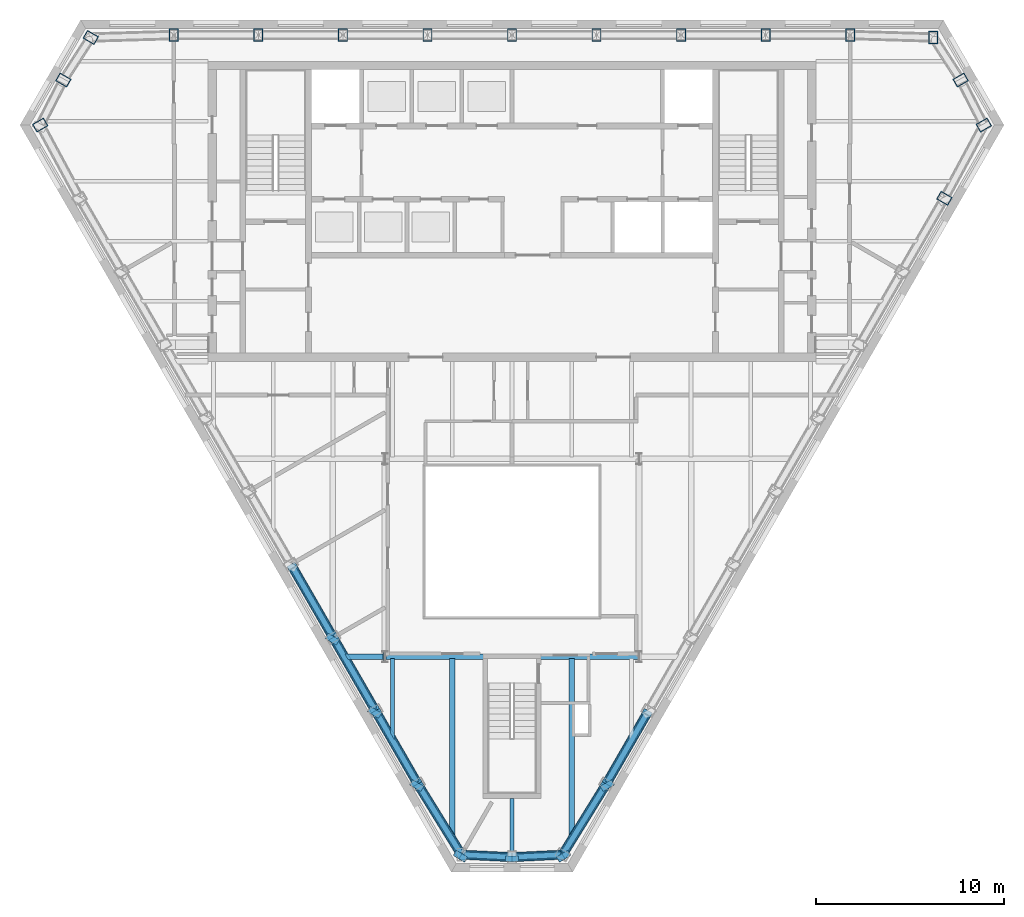
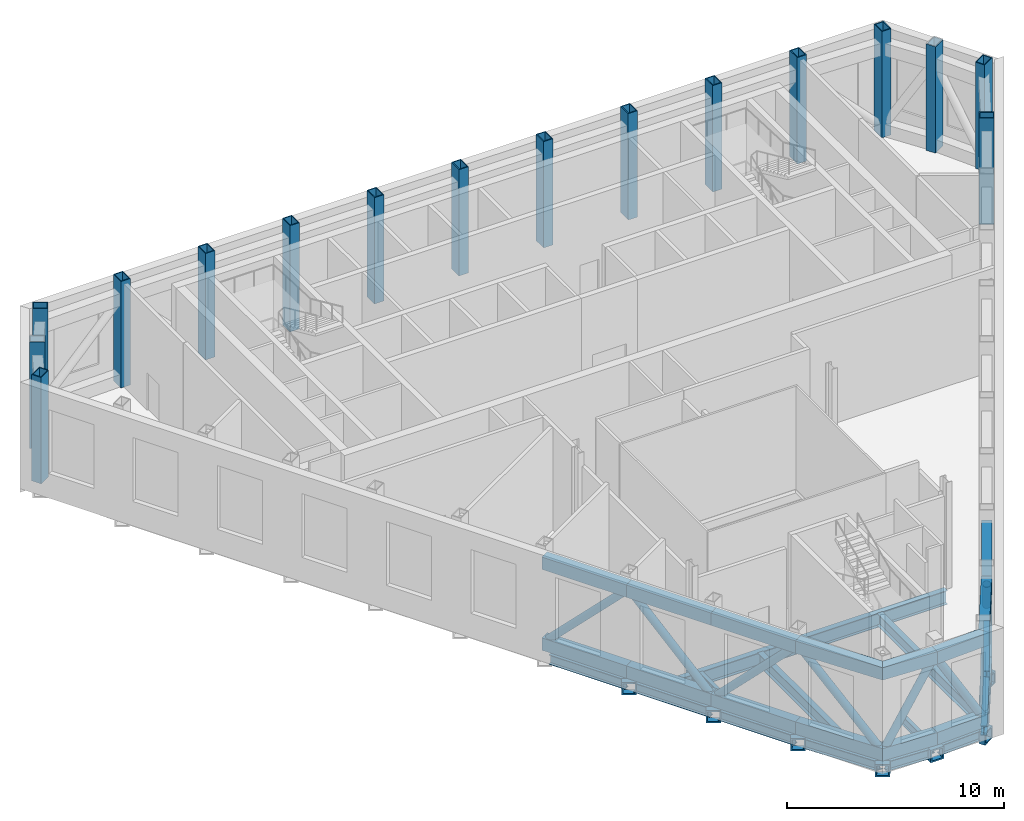
# One storey, part 2 of 14: 24 members, 22 beams, 16 columns.
"""IFC4 building model written with IfcOpenShell, lengths in metres."""

from ifc_helpers import new_model, si_unit, direction, frame, origin, origin_2d, place, context, subcontext, project, spatial, hollow_rectangle, hollow_circle, i_section, extrude, clip, halfspace, material, material_profile, profile_set, type_object, element, save


model = new_model("IFC4")

# Units and contexts
model_context = context("Model", 3, precision=1e-05, world=origin(), true_north=direction((0.0, 1.0)))
body_context = subcontext(model_context, "Body", "Model", "MODEL_VIEW")
ifc_project = project(units=[si_unit("LENGTHUNIT", "METRE"), si_unit("AREAUNIT", "SQUARE_METRE"), si_unit("VOLUMEUNIT", "CUBIC_METRE"), si_unit("PLANEANGLEUNIT", "RADIAN"), si_unit("MASSUNIT", "GRAM", prefix="KILO")], contexts=[model_context])

# Site, building, storey
site_placement = place(None, origin())
site = spatial("IfcSite", under=ifc_project, at=site_placement, CompositionType="ELEMENT")
building_placement = place(site_placement, origin())
building = spatial("IfcBuilding", under=site, at=building_placement, Name="Njiva Tower", CompositionType="ELEMENT")
storey_placement = place(building_placement, frame((0.0, 0.0, 239.4)))
storey = spatial("IfcBuildingStorey", under=building, at=storey_placement, Name="L54", CompositionType="ELEMENT", Elevation=239.4)

# Columns
ifc_material_1 = material(Name="Steel S355 J2", Category="steel")
ifc_material_profile_1 = material_profile(ifc_material_1, hollow_rectangle(XDim=0.5, YDim=0.7, WallThickness=0.045, at=origin_2d()), Name="BOX 700x500x45")
ifc_profile_set_1 = profile_set([ifc_material_profile_1], Name="Steel S355 J2")
column_type = type_object("IfcColumnType", Name="C13 Perimeter tube column BOX 700x500x45", PredefinedType="COLUMN", material=ifc_profile_set_1)
for number, where, z_axis, x_axis, name in (
    (1, (22.461, 19.267, 0.0), (0.0, 0.0, 1.0), (-1.0, 0.0, 0.0), "Perimeter tube column T4-C01"),
    (2, (18.03, 19.4, 0.0), (0.0, 0.0, 1.0), (-1.0, 0.0, 0.0), "Perimeter tube column T4-C02"),
    (3, (13.523, 19.4, 0.0), (0.0, 0.0, 1.0), (-1.0, 0.0, 0.0), "Perimeter tube column T4-C03"),
    (4, (9.015, 19.4, 0.0), (0.0, 0.0, 1.0), (-1.0, 0.0, 0.0), "Perimeter tube column T4-C04"),
    (5, (4.508, 19.4, 0.0), (0.0, 0.0, 1.0), (-1.0, 0.0, 0.0), "Perimeter tube column T4-C05"),
    (6, (0.0, 19.4, 0.0), (0.0, 0.0, 1.0), (-1.0, 0.0, 0.0), "Perimeter tube column T4-C06"),
    (7, (-4.508, 19.4, 0.0), (0.0, 0.0, 1.0), (-1.0, 0.0, 0.0), "Perimeter tube column T4-C07"),
    (8, (-9.015, 19.4, 0.0), (0.0, 0.0, 1.0), (-1.0, 0.0, 0.0), "Perimeter tube column T4-C08"),
    (9, (-13.523, 19.4, 0.0), (0.0, 0.0, 1.0), (-1.0, 0.0, 0.0), "Perimeter tube column T4-C09"),
    (10, (-18.03, 19.4, 0.0), (0.0, 0.0, 1.0), (-1.0, 0.0, 0.0), "Perimeter tube column T4-C10"),
    (11, (-22.461, 19.267, 0.0), (0.0, 0.0, 1.0), (-0.5, -0.866025403784, 0.0), "Perimeter tube column T4-C11"),
    (12, (-23.925, 16.998, 0.0), (0.0, 0.0, 1.0), (-0.5, -0.866025403784, 0.0), "Perimeter tube column T4-C12"),
    (13, (-25.158, 14.597, 0.0), (0.0, 0.0, 1.0), (0.5, -0.866025403784, 0.0), "Perimeter tube column T4-C13"),
    (14, (23.057, 10.693, 0.0), (0.0, 0.0, 1.0), (0.5, 0.866025403784, 0.0), "Perimeter tube column T4-C34"),
    (15, (25.158, 14.597, 0.0), (0.0, 0.0, 1.0), (-0.5, 0.866025403784, 0.0), "Perimeter tube column T4-C35"),
    (16, (23.925, 16.998, 0.0), (0.0, 0.0, 1.0), (-0.5, 0.866025403784, 0.0), "Perimeter tube column T4-C36"),
):
    element("IfcColumn", number, at=place(storey_placement, frame(where, z_axis=z_axis, x_axis=x_axis)), inside=storey, type_object=column_type, Name=name, PredefinedType="COLUMN", context=body_context, shape_type="SweptSolid", body=[
        extrude(hollow_rectangle(XDim=0.5, YDim=0.7, WallThickness=0.045, at=origin_2d()), origin(), (0.0, 0.0, 1.0), 6.0),
    ])

# Beams
ifc_material_profile_2 = material_profile(ifc_material_1, hollow_rectangle(XDim=0.7, YDim=0.7, WallThickness=0.08, at=origin_2d()), Name="BOX 700x700x80")
ifc_profile_set_2 = profile_set([ifc_material_profile_2], Name="Steel S355 J2")
beam_type_1 = type_object("IfcBeamType", Name="B19 Column jog beam BOX 700x700x80", PredefinedType="BEAM", material=ifc_profile_set_2)
beam_1_placement = place(storey_placement, frame((-9.668, -12.957, -0.55), z_axis=(0.503103193973, 0.864226345475, 0.0), x_axis=(-0.864226345475, 0.503103193973, 0.0)))
element("IfcBeam", 17, at=beam_1_placement, inside=storey, type_object=beam_type_1, Name="Column jog beam T4-B025", PredefinedType="BEAM", context=body_context, shape_type="SweptSolid", body=[
    extrude(hollow_rectangle(XDim=0.7, YDim=0.7, WallThickness=0.08, at=origin_2d()), origin(), (0.0, 0.0, 1.0), 0.324),
])
beam_2_placement = place(storey_placement, frame((-7.416, -16.86, -0.55), z_axis=(0.511321392938, 0.859389570058, 0.0), x_axis=(-0.859389570058, 0.511321392938, 0.0)))
element("IfcBeam", 18, at=beam_2_placement, inside=storey, type_object=beam_type_1, Name="Column jog beam T4-B026", PredefinedType="BEAM", context=body_context, shape_type="SweptSolid", body=[
    extrude(hollow_rectangle(XDim=0.7, YDim=0.7, WallThickness=0.08, at=origin_2d()), origin(), (0.0, 0.0, 1.0), 0.3246),
])
beam_3_placement = place(storey_placement, frame((-5.162, -20.763, -0.55), z_axis=(0.512677882512, 0.858581032159, 0.0), x_axis=(-0.858581032159, 0.512677882512, 0.0)))
element("IfcBeam", 19, at=beam_3_placement, inside=storey, type_object=beam_type_1, Name="Column jog beam T4-B029", PredefinedType="BEAM", context=body_context, shape_type="SweptSolid", body=[
    extrude(hollow_rectangle(XDim=0.7, YDim=0.7, WallThickness=0.08, at=origin_2d()), origin(), (0.0, 0.0, 1.0), 0.3238),
])
beam_4_placement = place(storey_placement, frame((-2.832, -24.531, -0.55), z_axis=(0.519059238985, 0.85473826779, 0.0), x_axis=(-0.85473826779, 0.519059238985, 0.0)))
element("IfcBeam", 20, at=beam_4_placement, inside=storey, type_object=beam_type_1, Name="Column jog beam T4-B030", PredefinedType="BEAM", context=body_context, shape_type="SweptSolid", body=[
    extrude(hollow_rectangle(XDim=0.7, YDim=0.7, WallThickness=0.08, at=origin_2d()), origin(), (0.0, 0.0, 1.0), 0.3217),
])
beam_5_placement = place(storey_placement, frame((0.0, -24.674, -0.55), z_axis=(0.0, 1.0, 0.0), x_axis=(-1.0, 0.0, 0.0)))
element("IfcBeam", 21, at=beam_5_placement, inside=storey, type_object=beam_type_1, Name="Column jog beam T4-B031", PredefinedType="BEAM", context=body_context, shape_type="SweptSolid", body=[
    extrude(hollow_rectangle(XDim=0.7, YDim=0.7, WallThickness=0.08, at=origin_2d()), origin(), (0.0, 0.0, 1.0), 0.294),
])
beam_6_placement = place(storey_placement, frame((2.832, -24.531, -0.55), z_axis=(-0.519059238985, 0.85473826779, 0.0), x_axis=(-0.85473826779, -0.519059238985, 0.0)))
element("IfcBeam", 22, at=beam_6_placement, inside=storey, type_object=beam_type_1, Name="Column jog beam T4-B032", PredefinedType="BEAM", context=body_context, shape_type="SweptSolid", body=[
    extrude(hollow_rectangle(XDim=0.7, YDim=0.7, WallThickness=0.08, at=origin_2d()), origin(), (0.0, 0.0, 1.0), 0.3217),
])
beam_7_placement = place(storey_placement, frame((5.162, -20.763, -0.55), z_axis=(-0.512677882512, 0.858581032159, 0.0), x_axis=(-0.858581032159, -0.512677882512, 0.0)))
element("IfcBeam", 23, at=beam_7_placement, inside=storey, type_object=beam_type_1, Name="Column jog beam T4-B033", PredefinedType="BEAM", context=body_context, shape_type="SweptSolid", body=[
    extrude(hollow_rectangle(XDim=0.7, YDim=0.7, WallThickness=0.08, at=origin_2d()), origin(), (0.0, 0.0, 1.0), 0.3238),
])
beam_8_placement = place(storey_placement, frame((-6.88, -13.75, -0.55), z_axis=(1.0, 0.0, 0.0), x_axis=(0.0, 1.0, 0.0)))
element("IfcBeam", 24, at=beam_8_placement, inside=storey, type_object=beam_type_1, Name="Column jog beam T4-B027", PredefinedType="BEAM", context=body_context, shape_type="SweptSolid", body=[
    extrude(hollow_rectangle(XDim=0.7, YDim=0.7, WallThickness=0.08, at=origin_2d()), origin(), (0.0, 0.0, 1.0), 0.17),
])
ifc_material_profile_3 = material_profile(ifc_material_1, i_section(OverallWidth=0.3, OverallDepth=0.69, WebThickness=0.0145, FlangeThickness=0.027, at=origin_2d()), Name="HEA 700")
ifc_profile_set_3 = profile_set([ifc_material_profile_3], Name="Steel S355 J2")
beam_type_2 = type_object("IfcBeamType", Name="B26 Floor joist HEA 700", PredefinedType="JOIST", material=ifc_profile_set_3)
beam_9_placement = place(storey_placement, frame((-3.183, -13.85, -0.545), z_axis=(0.0, -1.0, 0.0), x_axis=(1.0, 0.0, 0.0)))
element("IfcBeam", 25, at=beam_9_placement, inside=storey, type_object=beam_type_2, Name="Floor joist T4-B053", PredefinedType="JOIST", context=body_context, shape_type="Clipping", body=[
    clip(extrude(i_section(OverallWidth=0.3, OverallDepth=0.69, WebThickness=0.0145, FlangeThickness=0.027, at=origin_2d()), origin(), (0.0, 0.0, 1.0), 9.661), halfspace(frame((-0.0429, 0.0, 9.4103), z_axis=(-0.850620428373, 0.0, 0.525780264783), x_axis=(0.0, 1.0, 0.0)), False)),
])
beam_10_placement = place(storey_placement, frame((3.183, -13.85, -0.545), z_axis=(0.0, -1.0, 0.0), x_axis=(1.0, 0.0, 0.0)))
element("IfcBeam", 26, at=beam_10_placement, inside=storey, type_object=beam_type_2, Name="Floor joist T4-B057", PredefinedType="JOIST", context=body_context, shape_type="Clipping", body=[
    clip(extrude(i_section(OverallWidth=0.3, OverallDepth=0.69, WebThickness=0.0145, FlangeThickness=0.027, at=origin_2d()), origin(), (0.0, 0.0, 1.0), 9.661), halfspace(frame((0.0429, 0.0, 9.4103), z_axis=(0.850620428373, 0.0, 0.525780264783), x_axis=(0.0, 1.0, 0.0)), False)),
])
ifc_material_profile_4 = material_profile(ifc_material_1, i_section(OverallWidth=0.3, OverallDepth=0.54, WebThickness=0.0125, FlangeThickness=0.024, at=origin_2d()), Name="HEA 550")
ifc_profile_set_4 = profile_set([ifc_material_profile_4], Name="Steel S355 J2")
beam_type_3 = type_object("IfcBeamType", Name="B39 Short-span spandrel beam HEA 550", PredefinedType="SPANDREL", material=ifc_profile_set_4)
beam_11_placement = place(storey_placement, frame((-11.625, -9.108, -0.47), z_axis=(0.499957196903, -0.866050114754, 0.0), x_axis=(0.866050114754, 0.499957196903, 0.0)))
element("IfcBeam", 27, at=beam_11_placement, inside=storey, type_object=beam_type_3, Name="Short-span spandrel beam T4-B081", PredefinedType="SPANDREL", context=body_context, shape_type="SweptSolid", body=[
    extrude(i_section(OverallWidth=0.3, OverallDepth=0.54, WebThickness=0.0125, FlangeThickness=0.024, at=origin_2d()), origin(), (0.0, 0.0, 1.0), 4.0563),
])
beam_12_placement = place(storey_placement, frame((-9.372, -13.011, -0.47), z_axis=(0.500142068684, -0.865943364853, 0.0), x_axis=(0.865943364853, 0.500142068684, 0.0)))
element("IfcBeam", 28, at=beam_12_placement, inside=storey, type_object=beam_type_3, Name="Short-span spandrel beam T4-B082", PredefinedType="SPANDREL", context=body_context, shape_type="SweptSolid", body=[
    extrude(i_section(OverallWidth=0.3, OverallDepth=0.54, WebThickness=0.0125, FlangeThickness=0.024, at=origin_2d()), origin(), (0.0, 0.0, 1.0), 4.0568),
])
beam_13_placement = place(storey_placement, frame((-7.119, -16.914, -0.47), z_axis=(0.500035331196, -0.866005004348, 0.0), x_axis=(0.866005004348, 0.500035331196, 0.0)))
element("IfcBeam", 29, at=beam_13_placement, inside=storey, type_object=beam_type_3, Name="Short-span spandrel beam T4-B084", PredefinedType="SPANDREL", context=body_context, shape_type="SweptSolid", body=[
    extrude(i_section(OverallWidth=0.3, OverallDepth=0.54, WebThickness=0.0125, FlangeThickness=0.024, at=origin_2d()), origin(), (0.0, 0.0, 1.0), 4.0577),
])
beam_14_placement = place(storey_placement, frame((-4.855, -20.816, -0.47), z_axis=(0.525901919534, -0.850545219862, 0.0), x_axis=(0.850545219862, 0.525901919534, 0.0)))
element("IfcBeam", 30, at=beam_14_placement, inside=storey, type_object=beam_type_3, Name="Short-span spandrel beam T4-B085", PredefinedType="SPANDREL", context=body_context, shape_type="Clipping", body=[
    clip(extrude(i_section(OverallWidth=0.3, OverallDepth=0.54, WebThickness=0.0125, FlangeThickness=0.024, at=origin_2d()), origin(), (0.0, 0.0, 1.0), 4.0681), halfspace(frame((-0.0262, 0.0, 3.9389), z_axis=(-0.525901919534, 0.0, 0.850545219862), x_axis=(0.0, 1.0, 0.0)), False)),
])
beam_15_placement = place(storey_placement, frame((-2.57, -24.314, -0.47), z_axis=(0.998793523856, -0.049106992408, 0.0), x_axis=(0.049106992408, 0.998793523856, 0.0)))
element("IfcBeam", 31, at=beam_15_placement, inside=storey, type_object=beam_type_3, Name="Short-span spandrel beam T4-B087", PredefinedType="SPANDREL", context=body_context, shape_type="SweptSolid", body=[
    extrude(i_section(OverallWidth=0.3, OverallDepth=0.54, WebThickness=0.0125, FlangeThickness=0.024, at=origin_2d()), origin(), (0.0, 0.0, 1.0), 2.3418),
])
beam_16_placement = place(storey_placement, frame((0.231, -24.429, -0.47), z_axis=(0.998772662296, 0.049529476569, 0.0), x_axis=(-0.049529476569, 0.998772662296, 0.0)))
element("IfcBeam", 32, at=beam_16_placement, inside=storey, type_object=beam_type_3, Name="Short-span spandrel beam T4-B089", PredefinedType="SPANDREL", context=body_context, shape_type="Clipping", body=[
    clip(extrude(i_section(OverallWidth=0.3, OverallDepth=0.54, WebThickness=0.0125, FlangeThickness=0.024, at=origin_2d()), origin(), (0.0, 0.0, 1.0), 2.4388), halfspace(frame((-0.0276, 0.0, 2.3045), z_axis=(-0.542278185235, 0.0, 0.840199006081), x_axis=(0.0, 1.0, 0.0)), False)),
])
beam_17_placement = place(storey_placement, frame((2.765, -24.195, -0.47), z_axis=(0.526033980759, 0.85046355071, 0.0), x_axis=(-0.85046355071, 0.526033980759, 0.0)))
element("IfcBeam", 33, at=beam_17_placement, inside=storey, type_object=beam_type_3, Name="Short-span spandrel beam T4-B090", PredefinedType="SPANDREL", context=body_context, shape_type="SweptSolid", body=[
    extrude(i_section(OverallWidth=0.3, OverallDepth=0.54, WebThickness=0.0125, FlangeThickness=0.024, at=origin_2d()), origin(), (0.0, 0.0, 1.0), 3.9731),
])
beam_18_placement = place(storey_placement, frame((5.09, -20.428, -0.47), z_axis=(0.500035331196, 0.866005004348, 0.0), x_axis=(-0.866005004348, 0.500035331196, 0.0)))
element("IfcBeam", 34, at=beam_18_placement, inside=storey, type_object=beam_type_3, Name="Short-span spandrel beam T4-B092", PredefinedType="SPANDREL", context=body_context, shape_type="SweptSolid", body=[
    extrude(i_section(OverallWidth=0.3, OverallDepth=0.54, WebThickness=0.0125, FlangeThickness=0.024, at=origin_2d()), origin(), (0.0, 0.0, 1.0), 4.0577),
])
ifc_material_profile_5 = material_profile(ifc_material_1, i_section(OverallWidth=0.3, OverallDepth=0.54, WebThickness=0.0125, FlangeThickness=0.024, at=origin_2d()), Name="HEA 550")
ifc_profile_set_5 = profile_set([ifc_material_profile_5], Name="Steel S355 J2")
beam_type_4 = type_object("IfcBeamType", Name="B41 Short-span floor girder HEA 550", PredefinedType="BEAM", material=ifc_profile_set_5)
beam_19_placement = place(storey_placement, frame((-8.937, -13.75, -0.47), z_axis=(1.0, 0.0, 0.0), x_axis=(0.0, 1.0, 0.0)))
element("IfcBeam", 35, at=beam_19_placement, inside=storey, type_object=beam_type_4, Name="Short-span floor girder T4-B013", PredefinedType="BEAM", context=body_context, shape_type="Clipping", body=[
    clip(extrude(i_section(OverallWidth=0.3, OverallDepth=0.54, WebThickness=0.0125, FlangeThickness=0.024, at=origin_2d()), origin(), (0.0, 0.0, 1.0), 2.167), halfspace(frame((-0.025, 0.0, 0.1217), z_axis=(-0.499998009787, 0.0, -0.866026552831), x_axis=(0.0, -1.0, 0.0)), False)),
])
ifc_material_profile_6 = material_profile(ifc_material_1, i_section(OverallWidth=0.2, OverallDepth=0.5, WebThickness=0.0102, FlangeThickness=0.016, at=origin_2d()), Name="IPE 500")
ifc_profile_set_6 = profile_set([ifc_material_profile_6], Name="Steel S355 J2")
beam_type_5 = type_object("IfcBeamType", Name="B42 Short-span floor joist IPE 500", PredefinedType="JOIST", material=ifc_profile_set_6)
beam_20_placement = place(storey_placement, frame((-6.367, -13.85, -0.45), z_axis=(0.0, -1.0, 0.0), x_axis=(1.0, 0.0, 0.0)))
element("IfcBeam", 36, at=beam_20_placement, inside=storey, type_object=beam_type_5, Name="Short-span floor joist T4-B051", PredefinedType="JOIST", context=body_context, shape_type="Clipping", body=[
    clip(extrude(i_section(OverallWidth=0.2, OverallDepth=0.5, WebThickness=0.0102, FlangeThickness=0.016, at=origin_2d()), origin(), (0.0, 0.0, 1.0), 4.359), halfspace(frame((-0.043, 0.0, 4.0911), z_axis=(-0.866026552831, 0.0, 0.499998009787), x_axis=(0.0, 1.0, 0.0)), False)),
])
beam_21_placement = place(storey_placement, frame((0.0, -21.3, -0.45), z_axis=(0.0, -1.0, 0.0), x_axis=(1.0, 0.0, 0.0)))
element("IfcBeam", 37, at=beam_21_placement, inside=storey, type_object=beam_type_5, Name="Short-span floor joist T4-B055", PredefinedType="JOIST", context=body_context, shape_type="SweptSolid", body=[
    extrude(i_section(OverallWidth=0.2, OverallDepth=0.5, WebThickness=0.0102, FlangeThickness=0.016, at=origin_2d()), origin(), (0.0, 0.0, 1.0), 3.014),
])
ifc_material_profile_7 = material_profile(ifc_material_1, i_section(OverallWidth=0.3, OverallDepth=0.79, WebThickness=0.015, FlangeThickness=0.028, at=origin_2d()), Name="HEA 800")
ifc_profile_set_7 = profile_set([ifc_material_profile_7], Name="Steel S355 J2")
beam_type_6 = type_object("IfcBeamType", Name="B9 Long-span atrium trimmer beam HEA 800", PredefinedType="BEAM", material=ifc_profile_set_7)
beam_22_placement = place(storey_placement, frame((-6.77, -13.75, -0.595), z_axis=(1.0, 0.0, 0.0), x_axis=(0.0, 1.0, 0.0)))
element("IfcBeam", 38, at=beam_22_placement, inside=storey, type_object=beam_type_6, Name="Long-span atrium trimmer beam T4-B067", PredefinedType="BEAM", context=body_context, shape_type="SweptSolid", body=[
    extrude(i_section(OverallWidth=0.3, OverallDepth=0.79, WebThickness=0.015, FlangeThickness=0.028, at=origin_2d()), origin(), (0.0, 0.0, 1.0), 13.54),
])

# Members
ifc_material_profile_8 = material_profile(ifc_material_1, hollow_rectangle(XDim=0.5, YDim=0.7, WallThickness=0.04, at=origin_2d()), Name="BOX 700x500x40")
ifc_profile_set_8 = profile_set([ifc_material_profile_8], Name="Steel S355 J2")
member_type_1 = type_object("IfcMemberType", Name="TC2 Belt truss chord BOX 700x500x40", PredefinedType="CHORD", material=ifc_profile_set_8)
for number, where, z_axis, x_axis, name in (
    (39, (-11.788, -8.825, 0.35), (0.499837685251, -0.86611909597, 0.0), (0.86611909597, 0.499837685251, 0.0), "Belt truss chord T4-TR055"),
    (40, (-11.788, -8.825, 4.91), (0.499837685251, -0.86611909597, 0.0), (0.86611909597, 0.499837685251, 0.0), "Belt truss chord T4-TR056"),
):
    element("IfcMember", number, at=place(storey_placement, frame(where, z_axis=z_axis, x_axis=x_axis)), inside=storey, type_object=member_type_1, Name=name, PredefinedType="CHORD", context=body_context, shape_type="SweptSolid", body=[
        extrude(hollow_rectangle(XDim=0.5, YDim=0.7, WallThickness=0.04, at=origin_2d()), origin(), (0.0, 0.0, 1.0), 4.5075),
    ])
for number, where, z_axis, x_axis, name in (
    (41, (-9.535, -12.729, 0.35), (0.500004084281, -0.866023045711, 0.0), (0.866023045711, 0.500004084281, 0.0), "Belt truss chord T4-TR058"),
    (42, (-9.535, -12.729, 4.91), (0.500004084281, -0.866023045711, 0.0), (0.866023045711, 0.500004084281, 0.0), "Belt truss chord T4-TR059"),
):
    element("IfcMember", number, at=place(storey_placement, frame(where, z_axis=z_axis, x_axis=x_axis)), inside=storey, type_object=member_type_1, Name=name, PredefinedType="CHORD", context=body_context, shape_type="SweptSolid", body=[
        extrude(hollow_rectangle(XDim=0.5, YDim=0.7, WallThickness=0.04, at=origin_2d()), origin(), (0.0, 0.0, 1.0), 4.508),
    ])
member_1_placement = place(storey_placement, frame((-7.281, -16.633, 0.35), z_axis=(0.500004084281, -0.866023045711, 0.0), x_axis=(0.866023045711, 0.500004084281, 0.0)))
element("IfcMember", 43, at=member_1_placement, inside=storey, type_object=member_type_1, Name="Belt truss chord T4-TR061", PredefinedType="CHORD", context=body_context, shape_type="Clipping", body=[
    clip(extrude(hollow_rectangle(XDim=0.5, YDim=0.7, WallThickness=0.04, at=origin_2d()), origin(), (0.0, 0.0, 1.0), 4.542), halfspace(frame((0.0, -239.75, 4.508), z_axis=(0.015085010873, 0.0, 0.99988621475), x_axis=(0.0, 1.0, 0.0)), False)),
])
member_2_placement = place(storey_placement, frame((-7.281, -16.633, 4.91), z_axis=(0.500004084281, -0.866023045711, 0.0), x_axis=(0.866023045711, 0.500004084281, 0.0)))
element("IfcMember", 44, at=member_2_placement, inside=storey, type_object=member_type_1, Name="Belt truss chord T4-TR062", PredefinedType="CHORD", context=body_context, shape_type="Clipping", body=[
    clip(extrude(hollow_rectangle(XDim=0.5, YDim=0.7, WallThickness=0.04, at=origin_2d()), origin(), (0.0, 0.0, 1.0), 4.542), halfspace(frame((0.0, -244.31, 4.508), z_axis=(0.015085010873, 0.0, 0.99988621475), x_axis=(0.0, 1.0, 0.0)), False)),
])
member_3_placement = place(storey_placement, frame((-5.0449, -20.5081, 0.35), z_axis=(0.525896291515, -0.850548699705, 0.0), x_axis=(0.850548699705, 0.525896291515, 0.0)))
element("IfcMember", 45, at=member_3_placement, inside=storey, type_object=member_type_1, Name="Belt truss chord T4-TR064", PredefinedType="CHORD", context=body_context, shape_type="Clipping", body=[
    clip(clip(extrude(hollow_rectangle(XDim=0.5, YDim=0.7, WallThickness=0.04, at=origin_2d()), origin(), (0.0, 0.0, 1.0), 4.6274), halfspace(frame((0.0, -239.75, 0.034), z_axis=(0.01507890432, 0.0, -0.999886306859), x_axis=(0.0, -1.0, 0.0)), False)), halfspace(frame((0.0, -239.75, 4.4664), z_axis=(0.46520646311, 0.0, 0.885202206663), x_axis=(0.0, 1.0, 0.0)), False)),
])
member_4_placement = place(storey_placement, frame((-5.0449, -20.5081, 4.91), z_axis=(0.525896291515, -0.850548699705, 0.0), x_axis=(0.850548699705, 0.525896291515, 0.0)))
element("IfcMember", 46, at=member_4_placement, inside=storey, type_object=member_type_1, Name="Belt truss chord T4-TR065", PredefinedType="CHORD", context=body_context, shape_type="Clipping", body=[
    clip(clip(extrude(hollow_rectangle(XDim=0.5, YDim=0.7, WallThickness=0.04, at=origin_2d()), origin(), (0.0, 0.0, 1.0), 4.6274), halfspace(frame((0.0, -244.31, 0.034), z_axis=(0.01507890432, 0.0, -0.999886306859), x_axis=(0.0, -1.0, 0.0)), False)), halfspace(frame((0.0, -244.31, 4.4664), z_axis=(0.46520646311, 0.0, 0.885202206663), x_axis=(0.0, 1.0, 0.0)), False)),
])
member_5_placement = place(storey_placement, frame((-2.8568, -24.2991, 0.35), z_axis=(0.998785376462, -0.049272423987, 0.0), x_axis=(0.049272423987, 0.998785376462, 0.0)))
element("IfcMember", 47, at=member_5_placement, inside=storey, type_object=member_type_1, Name="Belt truss chord T4-TR067", PredefinedType="CHORD", context=body_context, shape_type="Clipping", body=[
    clip(clip(extrude(hollow_rectangle(XDim=0.5, YDim=0.7, WallThickness=0.04, at=origin_2d()), origin(), (0.0, 0.0, 1.0), 2.9023), halfspace(frame((0.0, -239.75, 0.161), z_axis=(0.465206217742, 0.0, -0.885202335613), x_axis=(0.0, -1.0, 0.0)), False)), halfspace(frame((0.0, -239.75, 2.8603), z_axis=(0.049272423987, 0.0, 0.998785376462), x_axis=(0.0, 1.0, 0.0)), False)),
])
member_6_placement = place(storey_placement, frame((-2.8568, -24.2991, 4.91), z_axis=(0.998785376462, -0.049272423987, 0.0), x_axis=(0.049272423987, 0.998785376462, 0.0)))
element("IfcMember", 48, at=member_6_placement, inside=storey, type_object=member_type_1, Name="Belt truss chord T4-TR068", PredefinedType="CHORD", context=body_context, shape_type="Clipping", body=[
    clip(clip(extrude(hollow_rectangle(XDim=0.5, YDim=0.7, WallThickness=0.04, at=origin_2d()), origin(), (0.0, 0.0, 1.0), 2.9023), halfspace(frame((0.0, -244.31, 0.161), z_axis=(0.465206217742, 0.0, -0.885202335613), x_axis=(0.0, -1.0, 0.0)), False)), halfspace(frame((0.0, -244.31, 2.8603), z_axis=(0.049272423987, 0.0, 0.998785376462), x_axis=(0.0, 1.0, 0.0)), False)),
])
member_7_placement = place(storey_placement, frame((-0.0419, -24.4421, 0.35), z_axis=(0.998785376462, 0.049272423987, 0.0), x_axis=(-0.049272423987, 0.998785376462, 0.0)))
element("IfcMember", 49, at=member_7_placement, inside=storey, type_object=member_type_1, Name="Belt truss chord T4-TR070", PredefinedType="CHORD", context=body_context, shape_type="Clipping", body=[
    clip(clip(extrude(hollow_rectangle(XDim=0.5, YDim=0.7, WallThickness=0.04, at=origin_2d()), origin(), (0.0, 0.0, 1.0), 2.9023), halfspace(frame((0.0, -239.75, 0.042), z_axis=(0.049272423987, 0.0, -0.998785376462), x_axis=(0.0, -1.0, 0.0)), False)), halfspace(frame((0.0, -239.75, 2.7413), z_axis=(0.465206217742, 0.0, 0.885202335613), x_axis=(0.0, 1.0, 0.0)), False)),
])
member_8_placement = place(storey_placement, frame((-0.0419, -24.4421, 4.91), z_axis=(0.998785376462, 0.049272423987, 0.0), x_axis=(-0.049272423987, 0.998785376462, 0.0)))
element("IfcMember", 50, at=member_8_placement, inside=storey, type_object=member_type_1, Name="Belt truss chord T4-TR071", PredefinedType="CHORD", context=body_context, shape_type="Clipping", body=[
    clip(clip(extrude(hollow_rectangle(XDim=0.5, YDim=0.7, WallThickness=0.04, at=origin_2d()), origin(), (0.0, 0.0, 1.0), 2.9023), halfspace(frame((0.0, -244.31, 0.042), z_axis=(0.049272423987, 0.0, -0.998785376462), x_axis=(0.0, -1.0, 0.0)), False)), halfspace(frame((0.0, -244.31, 2.7413), z_axis=(0.465206217742, 0.0, 0.885202335613), x_axis=(0.0, 1.0, 0.0)), False)),
])
member_9_placement = place(storey_placement, frame((2.6113, -24.4439, 0.35), z_axis=(0.525896291515, 0.850548699705, 0.0), x_axis=(-0.850548699705, 0.525896291515, 0.0)))
element("IfcMember", 51, at=member_9_placement, inside=storey, type_object=member_type_1, Name="Belt truss chord T4-TR073", PredefinedType="CHORD", context=body_context, shape_type="Clipping", body=[
    clip(clip(extrude(hollow_rectangle(XDim=0.5, YDim=0.7, WallThickness=0.04, at=origin_2d()), origin(), (0.0, 0.0, 1.0), 4.6274), halfspace(frame((0.0, -239.75, 0.161), z_axis=(0.46520646311, 0.0, -0.885202206663), x_axis=(0.0, -1.0, 0.0)), False)), halfspace(frame((0.0, -239.75, 4.5934), z_axis=(0.01507890432, 0.0, 0.999886306859), x_axis=(0.0, 1.0, 0.0)), False)),
])
member_10_placement = place(storey_placement, frame((2.6113, -24.4439, 4.91), z_axis=(0.525896291515, 0.850548699705, 0.0), x_axis=(-0.850548699705, 0.525896291515, 0.0)))
element("IfcMember", 52, at=member_10_placement, inside=storey, type_object=member_type_1, Name="Belt truss chord T4-TR074", PredefinedType="CHORD", context=body_context, shape_type="Clipping", body=[
    clip(clip(extrude(hollow_rectangle(XDim=0.5, YDim=0.7, WallThickness=0.04, at=origin_2d()), origin(), (0.0, 0.0, 1.0), 4.6274), halfspace(frame((0.0, -244.31, 0.161), z_axis=(0.46520646311, 0.0, -0.885202206663), x_axis=(0.0, -1.0, 0.0)), False)), halfspace(frame((0.0, -244.31, 4.5934), z_axis=(0.01507890432, 0.0, 0.999886306859), x_axis=(0.0, 1.0, 0.0)), False)),
])
member_11_placement = place(storey_placement, frame((5.01, -20.5664, 0.35), z_axis=(0.500004084281, 0.866023045711, 0.0), x_axis=(-0.866023045711, 0.500004084281, 0.0)))
element("IfcMember", 53, at=member_11_placement, inside=storey, type_object=member_type_1, Name="Belt truss chord T4-TR076", PredefinedType="CHORD", context=body_context, shape_type="Clipping", body=[
    clip(extrude(hollow_rectangle(XDim=0.5, YDim=0.7, WallThickness=0.04, at=origin_2d()), origin(), (0.0, 0.0, 1.0), 4.542), halfspace(frame((0.0, -239.75, 0.034), z_axis=(0.015085010873, 0.0, -0.99988621475), x_axis=(0.0, -1.0, 0.0)), False)),
])
member_12_placement = place(storey_placement, frame((5.01, -20.5664, 4.91), z_axis=(0.500004084281, 0.866023045711, 0.0), x_axis=(-0.866023045711, 0.500004084281, 0.0)))
element("IfcMember", 54, at=member_12_placement, inside=storey, type_object=member_type_1, Name="Belt truss chord T4-TR077", PredefinedType="CHORD", context=body_context, shape_type="Clipping", body=[
    clip(extrude(hollow_rectangle(XDim=0.5, YDim=0.7, WallThickness=0.04, at=origin_2d()), origin(), (0.0, 0.0, 1.0), 4.542), halfspace(frame((0.0, -244.31, 0.034), z_axis=(0.015085010873, 0.0, -0.99988621475), x_axis=(0.0, -1.0, 0.0)), False)),
])
ifc_material_2 = material(Name="Steel S355 J2H", Category="steel")
ifc_material_profile_9 = material_profile(ifc_material_2, hollow_circle(Radius=0.2032, WallThickness=0.016, at=origin_2d()), Name="CHS 406.4x16")
ifc_profile_set_9 = profile_set([ifc_material_profile_9], Name="Steel S355 J2H")
member_type_2 = type_object("IfcMemberType", Name="TD2 Belt truss diagonal CHS 406.4x16", PredefinedType="BRACE", material=ifc_profile_set_9)
member_13_placement = place(storey_placement, frame((-11.8699, -8.6831, 0.1843), z_axis=(0.351384900761, -0.60888000558, 0.711191809797), x_axis=(0.86611909597, 0.499837685251, 0.0)))
element("IfcMember", 55, at=member_13_placement, inside=storey, type_object=member_type_2, Name="Belt truss diagonal T4-TR057", PredefinedType="BRACE", context=body_context, shape_type="Clipping", body=[
    clip(clip(extrude(hollow_circle(Radius=0.2032, WallThickness=0.016, at=origin_2d()), origin(), (0.0, 0.0, 1.0), 6.8778), halfspace(frame((14.6209, 1.4846, -0.7564), z_axis=(0.0, -0.702998015416, -0.711191809797), x_axis=(0.0, -0.711191809797, 0.702998015416)), False)), halfspace(frame((14.6209, 4.2122, 2.003), z_axis=(0.0, 0.702998015416, 0.711191809797), x_axis=(0.0, 0.711191809797, -0.702998015416)), False)),
])
member_14_placement = place(storey_placement, frame((-9.6169, -12.5871, 5.0757), z_axis=(0.351521595663, -0.608846632417, -0.711152828847), x_axis=(0.866023045711, 0.500004084281, 0.0)))
element("IfcMember", 56, at=member_14_placement, inside=storey, type_object=member_type_2, Name="Belt truss diagonal T4-TR060", PredefinedType="BRACE", context=body_context, shape_type="Clipping", body=[
    clip(clip(extrude(hollow_circle(Radius=0.2032, WallThickness=0.016, at=origin_2d()), origin(), (0.0, 0.0, 1.0), 6.8781), halfspace(frame((14.6221, -4.6881, -3.9235), z_axis=(0.0, 0.703037448521, -0.711152828847), x_axis=(0.0, -0.711152828847, -0.703037448521)), False)), halfspace(frame((14.6221, -7.4158, -1.1642), z_axis=(0.0, -0.703037448521, 0.711152828847), x_axis=(0.0, 0.711152828847, 0.703037448521)), False)),
])
member_15_placement = place(storey_placement, frame((-7.3629, -16.4911, 0.1843), z_axis=(0.351521595663, -0.608846632417, 0.711152828847), x_axis=(0.866023045711, 0.500004084281, 0.0)))
element("IfcMember", 57, at=member_15_placement, inside=storey, type_object=member_type_2, Name="Belt truss diagonal T4-TR063", PredefinedType="BRACE", context=body_context, shape_type="Clipping", body=[
    clip(clip(extrude(hollow_circle(Radius=0.2032, WallThickness=0.016, at=origin_2d()), origin(), (0.0, 0.0, 1.0), 6.8781), halfspace(frame((14.6221, 7.8939, -7.0927), z_axis=(0.0, -0.703037448521, -0.711152828847), x_axis=(0.0, -0.711152828847, 0.703037448521)), False)), halfspace(frame((14.6221, 10.6217, -4.3335), z_axis=(0.0, 0.703037448521, 0.711152828847), x_axis=(0.0, 0.711152828847, -0.703037448521)), False)),
])
member_16_placement = place(storey_placement, frame((-5.1109, -20.4012, 5.0742), z_axis=(0.366552657529, -0.592837202439, -0.71706568783), x_axis=(0.850548699705, 0.525896291515, 0.0)))
element("IfcMember", 58, at=member_16_placement, inside=storey, type_object=member_type_2, Name="Belt truss diagonal T4-TR066", PredefinedType="BRACE", context=body_context, shape_type="Clipping", body=[
    clip(clip(extrude(hollow_circle(Radius=0.2032, WallThickness=0.016, at=origin_2d()), origin(), (0.0, 0.0, 1.0), 6.8173), halfspace(frame((15.076, -10.8668, -9.8596), z_axis=(0.0, 0.697005594911, -0.71706568783), x_axis=(0.0, -0.71706568783, -0.697005594911)), False)), halfspace(frame((15.076, -13.5712, -7.0774), z_axis=(0.0, -0.697005594911, 0.71706568783), x_axis=(0.0, 0.71706568783, 0.697005594911)), False)),
])
member_17_placement = place(storey_placement, frame((-2.7728, -24.3032, 0.2201), z_axis=(0.508772486521, -0.025098939431, 0.860535066223), x_axis=(0.049272423987, 0.998785376462, 0.0)))
element("IfcMember", 59, at=member_17_placement, inside=storey, type_object=member_type_2, Name="Belt truss diagonal T4-TR069", PredefinedType="BRACE", context=body_context, shape_type="Clipping", body=[
    clip(clip(extrude(hollow_circle(Radius=0.2032, WallThickness=0.016, at=origin_2d()), origin(), (0.0, 0.0, 1.0), 5.601), halfspace(frame((24.4103, -1.1134, 1.2052), z_axis=(0.0, -0.509391205069, -0.860535066223), x_axis=(0.0, -0.860535066223, 0.509391205069)), False)), halfspace(frame((24.4103, 0.8631, 4.544), z_axis=(0.0, 0.509391205069, 0.860535066223), x_axis=(0.0, 0.860535066223, -0.509391205069)), False)),
])
member_18_placement = place(storey_placement, frame((-0.0768, -24.4438, 5.0399), z_axis=(0.508772486521, 0.025098939431, -0.860535066223), x_axis=(-0.049272423987, 0.998785376462, 0.0)))
element("IfcMember", 60, at=member_18_placement, inside=storey, type_object=member_type_2, Name="Belt truss diagonal T4-TR072", PredefinedType="BRACE", context=body_context, shape_type="Clipping", body=[
    clip(clip(extrude(hollow_circle(Radius=0.2032, WallThickness=0.016, at=origin_2d()), origin(), (0.0, 0.0, 1.0), 5.601), halfspace(frame((24.4103, 0.8631, 1.057), z_axis=(0.0, 0.509391205069, -0.860535066223), x_axis=(0.0, -0.860535066223, -0.509391205069)), False)), halfspace(frame((24.4103, -1.1134, 4.3959), z_axis=(0.0, -0.509391205069, 0.860535066223), x_axis=(0.0, 0.860535066223, 0.509391205069)), False)),
])
member_19_placement = place(storey_placement, frame((2.6121, -24.4428, 0.1858), z_axis=(0.366552657529, 0.592837202439, 0.71706568783), x_axis=(-0.850548699705, 0.525896291515, 0.0)))
element("IfcMember", 61, at=member_19_placement, inside=storey, type_object=member_type_2, Name="Belt truss diagonal T4-TR075", PredefinedType="BRACE", context=body_context, shape_type="Clipping", body=[
    clip(clip(extrude(hollow_circle(Radius=0.2032, WallThickness=0.016, at=origin_2d()), origin(), (0.0, 0.0, 1.0), 6.8173), halfspace(frame((15.076, -13.5712, 13.8947), z_axis=(0.0, -0.697005594911, -0.71706568783), x_axis=(0.0, -0.71706568783, 0.697005594911)), False)), halfspace(frame((15.076, -10.8668, 16.6769), z_axis=(0.0, 0.697005594911, 0.71706568783), x_axis=(0.0, 0.71706568783, -0.697005594911)), False)),
])
member_20_placement = place(storey_placement, frame((4.9451, -20.6789, 5.0757), z_axis=(0.351521595663, 0.608846632417, -0.711152828847), x_axis=(-0.866023045711, 0.500004084281, 0.0)))
element("IfcMember", 62, at=member_20_placement, inside=storey, type_object=member_type_2, Name="Belt truss diagonal T4-TR078", PredefinedType="BRACE", context=body_context, shape_type="Clipping", body=[
    clip(clip(extrude(hollow_circle(Radius=0.2032, WallThickness=0.016, at=origin_2d()), origin(), (0.0, 0.0, 1.0), 6.8781), halfspace(frame((14.6221, 10.6217, 11.2116), z_axis=(0.0, 0.703037448521, -0.711152828847), x_axis=(0.0, -0.711152828847, -0.703037448521)), False)), halfspace(frame((14.6221, 7.8939, 13.9708), z_axis=(0.0, -0.703037448521, 0.711152828847), x_axis=(0.0, 0.711152828847, 0.703037448521)), False)),
])

save(model, "model.ifc")
